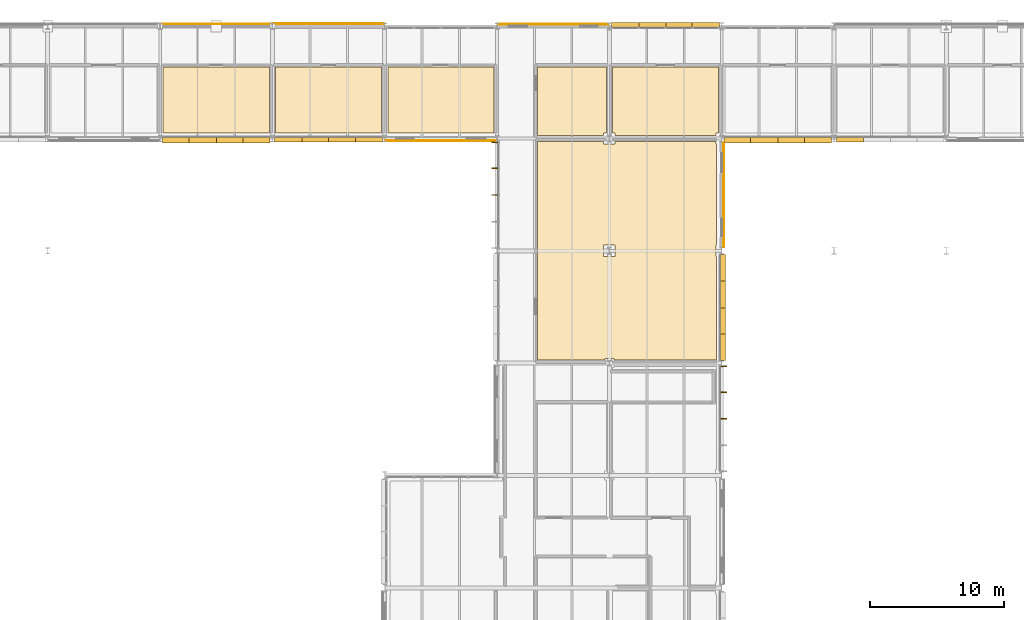
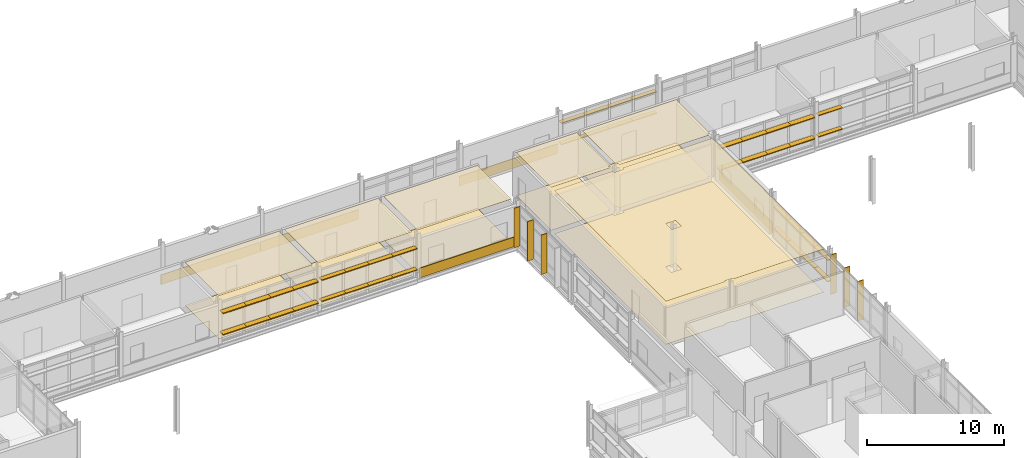
# One storey, part 125 of 131: 48 shading devices, 17 coverings.
"""IFC4 building model written with IfcOpenShell, lengths in metres."""

import ifcopenshell
import ifcopenshell.guid

model = None  # the IFC model being written
_history = None  # IfcOwnerHistory: only IFC2X3 demands one
_inside = {}  # id of a spatial element -> (the spatial element, [elements in it])
_under = {}  # id of a project, library or spatial element -> (it, [spatial elements below it])
_declared = {}  # id of a project -> (the project, [libraries it declares])
_typed = {}  # id of a type object -> (the type object, [elements of that type])
_made_of = {}  # id of a material, layer set ... -> (it, [elements and type objects made of it])


def new_model(schema):
    """Start an empty IFC model of exactly this schema.

    Asked for "IFC4X3", IfcOpenShell would pick the latest addendum, in which some entities
    have other attributes; the version numbers below select the first issue.
    IFC2X3 requires an IfcOwnerHistory on every rooted entity: one is made here for all.
    """
    global model, _history
    if schema == "IFC4X3":
        model = ifcopenshell.file(schema_version=(4, 3, 0, 0))
    else:
        model = ifcopenshell.file(schema=schema)
    _inside.clear()
    _under.clear()
    _declared.clear()
    _typed.clear()
    _made_of.clear()
    _history = None
    if model.schema == "IFC2X3":
        org = make("IfcOrganization", Name="unknown")
        user = make(
            "IfcPersonAndOrganization",
            ThePerson=make("IfcPerson", FamilyName="unknown"),
            TheOrganization=org,
        )
        app = make(
            "IfcApplication",
            ApplicationDeveloper=org,
            Version="unknown",
            ApplicationFullName="unknown",
            ApplicationIdentifier="unknown",
        )
        _history = make(
            "IfcOwnerHistory",
            OwningUser=user,
            OwningApplication=app,
            ChangeAction="ADDED",
            CreationDate=0,
        )
    return model


def make(cls, **values):
    """One entity of the class cls with the attributes given. An attribute that is None is left unset."""
    return model.create_entity(
        cls, **{name: value for name, value in values.items() if value is not None}
    )


def rooted(cls, **values):
    """An entity with a GlobalId (a new one), such as an element, a storey or a relation."""
    return make(cls, GlobalId=ifcopenshell.guid.new(), OwnerHistory=_history, **values)


def si_unit(unit_type, name, prefix=None):
    """IfcSIUnit, for example si_unit("LENGTHUNIT", "METRE", prefix="MILLI")."""
    return make("IfcSIUnit", UnitType=unit_type, Prefix=prefix, Name=name)


def assignment(units):
    """IfcUnitAssignment: the units of a project."""
    return None if units is None else make("IfcUnitAssignment", Units=units)


def point(xyz):
    """IfcCartesianPoint."""
    return None if xyz is None else make("IfcCartesianPoint", Coordinates=xyz)


def direction(xyz):
    """IfcDirection."""
    return None if xyz is None else make("IfcDirection", DirectionRatios=xyz)


def frame(location, z_axis=None, x_axis=None):
    """IfcAxis2Placement3D, a coordinate frame: its origin and axes. An axis left out is left unset."""
    return make(
        "IfcAxis2Placement3D",
        Location=point(location),
        Axis=direction(z_axis),
        RefDirection=direction(x_axis),
    )


def frame_2d(location, x_axis=None):
    """IfcAxis2Placement2D, a coordinate frame in the plane: its origin and x axis."""
    return make(
        "IfcAxis2Placement2D", Location=point(location), RefDirection=direction(x_axis)
    )


def origin():
    """The frame at (0, 0, 0) with its axes left unset."""
    return frame((0.0, 0.0, 0.0))


def origin_2d():
    """The frame at (0, 0) in the plane with its x axis left unset."""
    return frame_2d((0.0, 0.0))


def place(relative_to, where):
    """IfcLocalPlacement: puts the frame where relative to a parent placement (None: the world)."""
    return make(
        "IfcLocalPlacement", PlacementRelTo=relative_to, RelativePlacement=where
    )


def context(
    kind, dimensions, precision=None, world=None, true_north=None, identifier=None
):
    """IfcGeometricRepresentationContext, for example the 3D "Model" context."""
    return make(
        "IfcGeometricRepresentationContext",
        ContextIdentifier=identifier,
        ContextType=kind,
        CoordinateSpaceDimension=dimensions,
        Precision=precision,
        WorldCoordinateSystem=world,
        TrueNorth=true_north,
    )


def subcontext(parent, identifier, kind, view, scale=None):
    """IfcGeometricRepresentationSubContext, for example "Body" below "Model"."""
    return make(
        "IfcGeometricRepresentationSubContext",
        ContextIdentifier=identifier,
        ContextType=kind,
        ParentContext=parent,
        TargetScale=scale,
        TargetView=view,
    )


def project(units=None, contexts=None):
    """IfcProject with its units and contexts."""
    return rooted(
        "IfcProject",
        Name="project",
        RepresentationContexts=contexts,
        UnitsInContext=assignment(units),
    )


def spatial(cls, under=None, at=None, **own):
    """A site, building, storey or space (cls), placed at a placement, below another one or the project."""
    s = rooted(cls, ObjectPlacement=at, **own)
    if under is not None:
        _under.setdefault(under.id(), (under, []))[1].append(s)
    return s


def polyline(points):
    """IfcPolyline through the points."""
    return make("IfcPolyline", Points=[point(p) for p in points])


def profile(cls, at=None, kind="AREA", **sizes):
    """A parametric profile (cls). Its sizes go by their IFC names, for example OverallWidth=200.0."""
    return make(cls, ProfileType=kind, Position=at, **sizes)


def rectangle(**sizes):
    """IfcRectangleProfileDef."""
    return profile("IfcRectangleProfileDef", **sizes)


def outline(outer, holes=None, kind="AREA"):
    """IfcArbitraryClosedProfileDef: a profile drawn as a closed curve; with holes, ...WithVoids."""
    if holes is None:
        return make("IfcArbitraryClosedProfileDef", ProfileType=kind, OuterCurve=outer)
    return make(
        "IfcArbitraryProfileDefWithVoids",
        ProfileType=kind,
        OuterCurve=outer,
        InnerCurves=holes,
    )


def extrude(swept, where, along, depth):
    """IfcExtrudedAreaSolid: the profile swept, set in the frame where, extruded along a direction by depth."""
    return make(
        "IfcExtrudedAreaSolid",
        SweptArea=swept,
        Position=where,
        ExtrudedDirection=direction(along),
        Depth=depth,
    )


def shape(context_of_items, identifier, shape_type, items):
    """IfcShapeRepresentation: the items that make up one representation, for example the "Body"."""
    return make(
        "IfcShapeRepresentation",
        ContextOfItems=context_of_items,
        RepresentationIdentifier=identifier,
        RepresentationType=shape_type,
        Items=items,
    )


def material(Name=None, Category=None):
    """IfcMaterial."""
    return make("IfcMaterial", Name=Name, Category=Category)


def layer(
    of_material, thickness, ventilated=None, Name=None, Category=None, Priority=None
):
    """IfcMaterialLayer: one layer of a wall or slab, of a material (None: an air gap)."""
    return make(
        "IfcMaterialLayer",
        Material=of_material,
        LayerThickness=thickness,
        IsVentilated=ventilated,
        Name=Name,
        Category=Category,
        Priority=Priority,
    )


def layer_set(layers, Name=None):
    """IfcMaterialLayerSet."""
    return make("IfcMaterialLayerSet", MaterialLayers=layers, LayerSetName=Name)


def made_of(thing, what):
    """Note that an element or type object is made of a material, layer set ...; save() writes the relation."""
    if what is not None:
        _made_of.setdefault(what.id(), (what, []))[1].append(thing)
    return thing


def type_object(cls, material=None, **own):
    """A type object (cls), such as IfcWallType, which elements share."""
    return made_of(rooted(cls, **own), material)


def element(
    cls,
    number,
    at=None,
    inside=None,
    cuts=None,
    type_object=None,
    material=None,
    context=None,
    identifier="Body",
    shape_type=None,
    held_by="IfcProductDefinitionShape",
    body=None,
    shapes=None,
    **own,
):
    """One element of the class cls, such as IfcWall. Its Tag is "e" and its number.

    at: its placement. inside: the storey or other place that contains it. cuts: it is an
    opening in that element (IfcRelVoidsElement). A single representation is given by context,
    identifier, shape_type and body (its items); several are given by shapes. held_by: the class
    of the entity that holds the representations. save() writes the other relations.
    """
    e = rooted(cls, Tag="e%d" % number, ObjectPlacement=at, **own)
    if body is not None:
        shapes = [shape(context, identifier, shape_type, body)]
    if shapes is not None:
        e.Representation = make(held_by, Representations=shapes)
    if inside is not None:
        _inside.setdefault(inside.id(), (inside, []))[1].append(e)
    if cuts is not None:
        rooted(
            "IfcRelVoidsElement", RelatingBuildingElement=cuts, RelatedOpeningElement=e
        )
    if type_object is not None:
        _typed.setdefault(type_object.id(), (type_object, []))[1].append(e)
    return made_of(e, material)


def aggregate(whole, parts):
    """IfcRelAggregates: a whole, such as a stair, and the parts it consists of."""
    return rooted("IfcRelAggregates", RelatingObject=whole, RelatedObjects=parts)


def save(model, path):
    """Write the relations noted so far, then the file.

    IfcRelAggregates (storeys below a building ...), IfcRelContainedInSpatialStructure (elements
    in a storey), IfcRelDefinesByType, IfcRelAssociatesMaterial and IfcRelDeclares: one each for
    every whole, place, type object, material and project.
    """
    for whole, parts in _under.values():
        aggregate(whole, parts)
    for where, things in _inside.values():
        rooted(
            "IfcRelContainedInSpatialStructure",
            RelatedElements=things,
            RelatingStructure=where,
        )
    for kind, things in _typed.values():
        rooted("IfcRelDefinesByType", RelatedObjects=things, RelatingType=kind)
    for what, things in _made_of.values():
        rooted("IfcRelAssociatesMaterial", RelatedObjects=things, RelatingMaterial=what)
    for by, libraries in _declared.values():
        rooted("IfcRelDeclares", RelatingContext=by, RelatedDefinitions=libraries)
    model.write(path)


model = new_model("IFC4")

# Units and contexts
model_context = context("Model", 3, precision=1e-05, world=origin(), true_north=direction((0.0, 1.0)))
body_context = subcontext(model_context, "Body", "Model", "MODEL_VIEW")
ifc_project = project(units=[si_unit("LENGTHUNIT", "METRE"), si_unit("AREAUNIT", "SQUARE_METRE"), si_unit("VOLUMEUNIT", "CUBIC_METRE"), si_unit("PLANEANGLEUNIT", "RADIAN"), si_unit("MASSUNIT", "GRAM", prefix="KILO")], contexts=[model_context])

# Site, building, storey
site_placement = place(None, origin())
site = spatial("IfcSite", under=ifc_project, at=site_placement, CompositionType="ELEMENT")
building_placement = place(site_placement, origin())
building = spatial("IfcBuilding", under=site, at=building_placement, Name="Mersafa Astral City Hall", CompositionType="ELEMENT")
storey_placement = place(building_placement, frame((0.0, 0.0, 13.949951171875)))
storey = spatial("IfcBuildingStorey", under=building, at=storey_placement, Name="L03", CompositionType="ELEMENT", Elevation=13.949951171875)

# Coverings
ifc_material_1 = material(Name="Cairo Mokattam buff limestone cladding", Category="masonry")
ifc_layer_1 = layer(ifc_material_1, 0.06005859375, Name="Cairo Mokattam buff limestone cladding")
ifc_layer_set_1 = layer_set([ifc_layer_1], Name="Cairo Mokattam buff limestone cladding — ENV-COV-LIMESTONE-60")
covering_type_1 = type_object("IfcCoveringType", Name="ENV-COV-LIMESTONE-60", PredefinedType="CLADDING", material=ifc_layer_set_1)
covering_1_placement = place(storey_placement, frame((117.761962890625, 113.39990234375, 0.0), z_axis=(0.0, 0.0, 1.0), x_axis=(0.0, 1.0, 0.0)))
element("IfcCovering", 1, at=covering_1_placement, inside=storey, type_object=covering_type_1, Name="L03 Cairo buff limestone rainscreen cladding 222", PredefinedType="CLADDING", context=body_context, shape_type="SweptSolid", body=[
    extrude(rectangle(XDim=7.847900390625, YDim=0.06005859375, at=origin_2d()), origin(), (0.0, 0.0, 1.0), 0.860107421875),
])
for number, where, z_axis, x_axis, name in (
    (2, (105.0, 126.139404296875, 0.0), (0.0, 0.0, 1.0), (-1.0, 0.0, 0.0), "L03 Cairo buff limestone rainscreen cladding 243"),
    (3, (88.199951171875, 126.177001953125, 0.0), (0.0, 0.0, 1.0), (-1.0, 0.0, 0.0), "L03 Cairo buff limestone rainscreen cladding 244"),
    (4, (79.800048828125, 126.16943359375, 0.0), (0.0, 0.0, 1.0), (-1.0, 0.0, 0.0), "L03 Cairo buff limestone rainscreen cladding 245"),
    (5, (96.60009765625, 117.43798828125, 0.0), (0.0, 0.0, 1.0), (1.0, 0.0, 0.0), "L03 Cairo buff limestone rainscreen cladding 264"),
):
    element("IfcCovering", number, at=place(storey_placement, frame(where, z_axis=z_axis, x_axis=x_axis)), inside=storey, type_object=covering_type_1, Name=name, PredefinedType="CLADDING", context=body_context, shape_type="SweptSolid", body=[
        extrude(rectangle(XDim=8.323974609375, YDim=0.06005859375, at=origin_2d()), origin(), (0.0, 0.0, 1.0), 0.860107421875),
    ])

# Shading devices
ifc_material_2 = material(Name="Anodised bronze aluminium solar fin", Category="aluminium")
shading_device_type_1 = type_object("IfcShadingDeviceType", Name="ENV-SHD-FIN-500A", PredefinedType="USERDEFINED", material=ifc_material_2)
for number, where, z_axis, x_axis, name in (
    (6, (117.7451171875, 96.6474609375, -0.01513671875), (0.0, 0.0, 1.0), (0.0, 1.0, 0.0), "L03 Vertical bronze solar fin 996"),
    (7, (117.7451171875, 98.627685546875, -0.01513671875), (0.0, 0.0, 1.0), (0.0, 1.0, 0.0), "L03 Vertical bronze solar fin 997"),
    (8, (117.7451171875, 100.577880859375, -0.01513671875), (0.0, 0.0, 1.0), (0.0, 1.0, 0.0), "L03 Vertical bronze solar fin 998"),
    (9, (100.655029296875, 117.3330078125, -0.01513671875), (0.0, 0.0, 1.0), (0.0, -1.0, 0.0), "L03 Vertical bronze solar fin 1160"),
    (10, (100.655029296875, 115.367919921875, -0.01513671875), (0.0, 0.0, 1.0), (0.0, -1.0, 0.0), "L03 Vertical bronze solar fin 1161"),
    (11, (100.655029296875, 113.37255859375, -0.01513671875), (0.0, 0.0, 1.0), (0.0, -1.0, 0.0), "L03 Vertical bronze solar fin 1162"),
):
    element("IfcShadingDevice", number, at=place(storey_placement, frame(where, z_axis=z_axis, x_axis=x_axis)), inside=storey, type_object=shading_device_type_1, Name=name, ObjectType="FIN", PredefinedType="USERDEFINED", context=body_context, shape_type="SweptSolid", body=[
        extrude(rectangle(XDim=0.06005859375, YDim=0.5, at=origin_2d()), origin(), (0.0, 0.0, 1.0), 3.527099609375),
    ])
ifc_material_3 = material(Name="Kiln-dried cedar timber brise-soleil blade", Category="wood")
shading_device_type_2 = type_object("IfcShadingDeviceType", Name="ENV-SHD-LOUVRE-380", PredefinedType="JALOUSIE", material=ifc_material_3)
shading_device_1_placement = place(storey_placement, frame((117.679931640625, 102.000244140625, 0.81494140625), z_axis=(0.0, 0.0, 1.0), x_axis=(0.0, 1.0, 0.0)))
element("IfcShadingDevice", 12, at=shading_device_1_placement, inside=storey, type_object=shading_device_type_2, Name="L03 Horizontal cedar brise-soleil louvre 999", PredefinedType="JALOUSIE", context=body_context, shape_type="SweptSolid", body=[
    extrude(rectangle(XDim=1.99658203125, YDim=0.3798828125, at=origin_2d()), origin(), (0.0, 0.0, 1.0), 0.070068359375),
])
for number, where, z_axis, x_axis, name in (
    (13, (117.679931640625, 103.9716796875, 0.81494140625), (0.0, 0.0, 1.0), (0.0, 1.0, 0.0), "L03 Horizontal cedar brise-soleil louvre 1000"),
    (14, (117.679931640625, 105.958251953125, 0.81494140625), (0.0, 0.0, 1.0), (0.0, 1.0, 0.0), "L03 Horizontal cedar brise-soleil louvre 1001"),
):
    element("IfcShadingDevice", number, at=place(storey_placement, frame(where, z_axis=z_axis, x_axis=x_axis)), inside=storey, type_object=shading_device_type_2, Name=name, PredefinedType="JALOUSIE", context=body_context, shape_type="SweptSolid", body=[
        extrude(rectangle(XDim=2.026611328125, YDim=0.3798828125, at=origin_2d()), origin(), (0.0, 0.0, 1.0), 0.070068359375),
    ])
for number, where, z_axis, x_axis, name in (
    (15, (117.679931640625, 107.9296875, 0.81494140625), (0.0, 0.0, 1.0), (0.0, 1.0, 0.0), "L03 Horizontal cedar brise-soleil louvre 1002"),
    (16, (117.679931640625, 102.000244140625, 2.71484375), (0.0, 0.0, 1.0), (0.0, 1.0, 0.0), "L03 Horizontal cedar brise-soleil louvre 1003"),
):
    element("IfcShadingDevice", number, at=place(storey_placement, frame(where, z_axis=z_axis, x_axis=x_axis)), inside=storey, type_object=shading_device_type_2, Name=name, PredefinedType="JALOUSIE", context=body_context, shape_type="SweptSolid", body=[
        extrude(rectangle(XDim=1.99658203125, YDim=0.3798828125, at=origin_2d()), origin(), (0.0, 0.0, 1.0), 0.070068359375),
    ])
for number, where, z_axis, x_axis, name in (
    (17, (117.679931640625, 103.9716796875, 2.71484375), (0.0, 0.0, 1.0), (0.0, 1.0, 0.0), "L03 Horizontal cedar brise-soleil louvre 1004"),
    (18, (117.679931640625, 105.958251953125, 2.71484375), (0.0, 0.0, 1.0), (0.0, 1.0, 0.0), "L03 Horizontal cedar brise-soleil louvre 1005"),
):
    element("IfcShadingDevice", number, at=place(storey_placement, frame(where, z_axis=z_axis, x_axis=x_axis)), inside=storey, type_object=shading_device_type_2, Name=name, PredefinedType="JALOUSIE", context=body_context, shape_type="SweptSolid", body=[
        extrude(rectangle(XDim=2.026611328125, YDim=0.3798828125, at=origin_2d()), origin(), (0.0, 0.0, 1.0), 0.070068359375),
    ])
shading_device_2_placement = place(storey_placement, frame((117.679931640625, 107.9296875, 2.71484375), z_axis=(0.0, 0.0, 1.0), x_axis=(0.0, 1.0, 0.0)))
element("IfcShadingDevice", 19, at=shading_device_2_placement, inside=storey, type_object=shading_device_type_2, Name="L03 Horizontal cedar brise-soleil louvre 1006", PredefinedType="JALOUSIE", context=body_context, shape_type="SweptSolid", body=[
    extrude(rectangle(XDim=1.99658203125, YDim=0.3798828125, at=origin_2d()), origin(), (0.0, 0.0, 1.0), 0.070068359375),
])
for number, where, z_axis, x_axis, name in (
    (20, (127.1865234375, 117.52001953125, 0.81494140625), (0.0, 0.0, 1.0), (1.0, 0.0, 0.0), "L03 Horizontal cedar brise-soleil louvre 1015"),
    (21, (127.1865234375, 117.52001953125, 2.71484375), (0.0, 0.0, 1.0), (1.0, 0.0, 0.0), "L03 Horizontal cedar brise-soleil louvre 1019"),
    (22, (116.41357421875, 126.080078125, 0.81494140625), (0.0, 0.0, 1.0), (-1.0, 0.0, 0.0), "L03 Horizontal cedar brise-soleil louvre 1078"),
):
    element("IfcShadingDevice", number, at=place(storey_placement, frame(where, z_axis=z_axis, x_axis=x_axis)), inside=storey, type_object=shading_device_type_2, Name=name, PredefinedType="JALOUSIE", context=body_context, shape_type="SweptSolid", body=[
        extrude(rectangle(XDim=2.029052734375, YDim=0.3798828125, at=origin_2d()), origin(), (0.0, 0.0, 1.0), 0.070068359375),
    ])
for number, where, z_axis, x_axis, name in (
    (23, (114.409423828125, 126.080078125, 0.81494140625), (0.0, 0.0, 1.0), (-1.0, 0.0, 0.0), "L03 Horizontal cedar brise-soleil louvre 1079"),
    (24, (112.390380859375, 126.080078125, 0.81494140625), (0.0, 0.0, 1.0), (-1.0, 0.0, 0.0), "L03 Horizontal cedar brise-soleil louvre 1080"),
):
    element("IfcShadingDevice", number, at=place(storey_placement, frame(where, z_axis=z_axis, x_axis=x_axis)), inside=storey, type_object=shading_device_type_2, Name=name, PredefinedType="JALOUSIE", context=body_context, shape_type="SweptSolid", body=[
        extrude(rectangle(XDim=2.05908203125, YDim=0.3798828125, at=origin_2d()), origin(), (0.0, 0.0, 1.0), 0.070068359375),
    ])
for number, where, z_axis, x_axis, name in (
    (25, (110.386474609375, 126.080078125, 0.81494140625), (0.0, 0.0, 1.0), (-1.0, 0.0, 0.0), "L03 Horizontal cedar brise-soleil louvre 1081"),
    (26, (116.41357421875, 126.080078125, 2.71484375), (0.0, 0.0, 1.0), (-1.0, 0.0, 0.0), "L03 Horizontal cedar brise-soleil louvre 1082"),
):
    element("IfcShadingDevice", number, at=place(storey_placement, frame(where, z_axis=z_axis, x_axis=x_axis)), inside=storey, type_object=shading_device_type_2, Name=name, PredefinedType="JALOUSIE", context=body_context, shape_type="SweptSolid", body=[
        extrude(rectangle(XDim=2.029052734375, YDim=0.3798828125, at=origin_2d()), origin(), (0.0, 0.0, 1.0), 0.070068359375),
    ])
for number, where, z_axis, x_axis, name in (
    (27, (114.409423828125, 126.080078125, 2.71484375), (0.0, 0.0, 1.0), (-1.0, 0.0, 0.0), "L03 Horizontal cedar brise-soleil louvre 1083"),
    (28, (112.390380859375, 126.080078125, 2.71484375), (0.0, 0.0, 1.0), (-1.0, 0.0, 0.0), "L03 Horizontal cedar brise-soleil louvre 1084"),
):
    element("IfcShadingDevice", number, at=place(storey_placement, frame(where, z_axis=z_axis, x_axis=x_axis)), inside=storey, type_object=shading_device_type_2, Name=name, PredefinedType="JALOUSIE", context=body_context, shape_type="SweptSolid", body=[
        extrude(rectangle(XDim=2.05908203125, YDim=0.3798828125, at=origin_2d()), origin(), (0.0, 0.0, 1.0), 0.070068359375),
    ])
for number, where, z_axis, x_axis, name in (
    (29, (110.386474609375, 126.080078125, 2.71484375), (0.0, 0.0, 1.0), (-1.0, 0.0, 0.0), "L03 Horizontal cedar brise-soleil louvre 1085"),
    (30, (85.1865234375, 117.52001953125, 0.81494140625), (0.0, 0.0, 1.0), (1.0, 0.0, 0.0), "L03 Horizontal cedar brise-soleil louvre 1152"),
):
    element("IfcShadingDevice", number, at=place(storey_placement, frame(where, z_axis=z_axis, x_axis=x_axis)), inside=storey, type_object=shading_device_type_2, Name=name, PredefinedType="JALOUSIE", context=body_context, shape_type="SweptSolid", body=[
        extrude(rectangle(XDim=2.029052734375, YDim=0.3798828125, at=origin_2d()), origin(), (0.0, 0.0, 1.0), 0.070068359375),
    ])
for number, where, z_axis, x_axis, name in (
    (31, (87.1904296875, 117.52001953125, 0.81494140625), (0.0, 0.0, 1.0), (1.0, 0.0, 0.0), "L03 Horizontal cedar brise-soleil louvre 1153"),
    (32, (89.20947265625, 117.52001953125, 0.81494140625), (0.0, 0.0, 1.0), (1.0, 0.0, 0.0), "L03 Horizontal cedar brise-soleil louvre 1154"),
):
    element("IfcShadingDevice", number, at=place(storey_placement, frame(where, z_axis=z_axis, x_axis=x_axis)), inside=storey, type_object=shading_device_type_2, Name=name, PredefinedType="JALOUSIE", context=body_context, shape_type="SweptSolid", body=[
        extrude(rectangle(XDim=2.05908203125, YDim=0.3798828125, at=origin_2d()), origin(), (0.0, 0.0, 1.0), 0.070068359375),
    ])
for number, where, z_axis, x_axis, name in (
    (33, (91.21337890625, 117.52001953125, 0.81494140625), (0.0, 0.0, 1.0), (1.0, 0.0, 0.0), "L03 Horizontal cedar brise-soleil louvre 1155"),
    (34, (85.1865234375, 117.52001953125, 2.71484375), (0.0, 0.0, 1.0), (1.0, 0.0, 0.0), "L03 Horizontal cedar brise-soleil louvre 1156"),
):
    element("IfcShadingDevice", number, at=place(storey_placement, frame(where, z_axis=z_axis, x_axis=x_axis)), inside=storey, type_object=shading_device_type_2, Name=name, PredefinedType="JALOUSIE", context=body_context, shape_type="SweptSolid", body=[
        extrude(rectangle(XDim=2.029052734375, YDim=0.3798828125, at=origin_2d()), origin(), (0.0, 0.0, 1.0), 0.070068359375),
    ])
for number, where, z_axis, x_axis, name in (
    (35, (87.1904296875, 117.52001953125, 2.71484375), (0.0, 0.0, 1.0), (1.0, 0.0, 0.0), "L03 Horizontal cedar brise-soleil louvre 1157"),
    (36, (89.20947265625, 117.52001953125, 2.71484375), (0.0, 0.0, 1.0), (1.0, 0.0, 0.0), "L03 Horizontal cedar brise-soleil louvre 1158"),
):
    element("IfcShadingDevice", number, at=place(storey_placement, frame(where, z_axis=z_axis, x_axis=x_axis)), inside=storey, type_object=shading_device_type_2, Name=name, PredefinedType="JALOUSIE", context=body_context, shape_type="SweptSolid", body=[
        extrude(rectangle(XDim=2.05908203125, YDim=0.3798828125, at=origin_2d()), origin(), (0.0, 0.0, 1.0), 0.070068359375),
    ])
shading_device_3_placement = place(storey_placement, frame((91.21337890625, 117.52001953125, 2.71484375), z_axis=(0.0, 0.0, 1.0), x_axis=(1.0, 0.0, 0.0)))
element("IfcShadingDevice", 37, at=shading_device_3_placement, inside=storey, type_object=shading_device_type_2, Name="L03 Horizontal cedar brise-soleil louvre 1159", PredefinedType="JALOUSIE", context=body_context, shape_type="SweptSolid", body=[
    extrude(rectangle(XDim=2.029052734375, YDim=0.3798828125, at=origin_2d()), origin(), (0.0, 0.0, 1.0), 0.070068359375),
])
shading_device_type_3 = type_object("IfcShadingDeviceType", Name="ENV-SHD-LOUVRE-450", PredefinedType="JALOUSIE", material=ifc_material_3)
shading_device_4_placement = place(storey_placement, frame((118.78662109375, 117.485107421875, 0.81005859375), z_axis=(0.0, 0.0, 1.0), x_axis=(1.0, 0.0, 0.0)))
element("IfcShadingDevice", 38, at=shading_device_4_placement, inside=storey, type_object=shading_device_type_3, Name="L03 Horizontal cedar brise-soleil louvre 1007", PredefinedType="JALOUSIE", context=body_context, shape_type="SweptSolid", body=[
    extrude(rectangle(XDim=2.029052734375, YDim=0.449951171875, at=origin_2d()), origin(), (0.0, 0.0, 1.0), 0.080078125),
])
for number, where, z_axis, x_axis, name in (
    (39, (120.79052734375, 117.485107421875, 0.81005859375), (0.0, 0.0, 1.0), (1.0, 0.0, 0.0), "L03 Horizontal cedar brise-soleil louvre 1008"),
    (40, (122.8095703125, 117.485107421875, 0.81005859375), (0.0, 0.0, 1.0), (1.0, 0.0, 0.0), "L03 Horizontal cedar brise-soleil louvre 1009"),
):
    element("IfcShadingDevice", number, at=place(storey_placement, frame(where, z_axis=z_axis, x_axis=x_axis)), inside=storey, type_object=shading_device_type_3, Name=name, PredefinedType="JALOUSIE", context=body_context, shape_type="SweptSolid", body=[
        extrude(rectangle(XDim=2.05908203125, YDim=0.449951171875, at=origin_2d()), origin(), (0.0, 0.0, 1.0), 0.080078125),
    ])
for number, where, z_axis, x_axis, name in (
    (41, (124.8134765625, 117.485107421875, 0.81005859375), (0.0, 0.0, 1.0), (1.0, 0.0, 0.0), "L03 Horizontal cedar brise-soleil louvre 1010"),
    (42, (118.78662109375, 117.485107421875, 2.7099609375), (0.0, 0.0, 1.0), (1.0, 0.0, 0.0), "L03 Horizontal cedar brise-soleil louvre 1011"),
):
    element("IfcShadingDevice", number, at=place(storey_placement, frame(where, z_axis=z_axis, x_axis=x_axis)), inside=storey, type_object=shading_device_type_3, Name=name, PredefinedType="JALOUSIE", context=body_context, shape_type="SweptSolid", body=[
        extrude(rectangle(XDim=2.029052734375, YDim=0.449951171875, at=origin_2d()), origin(), (0.0, 0.0, 1.0), 0.080078125),
    ])
for number, where, z_axis, x_axis, name in (
    (43, (120.79052734375, 117.485107421875, 2.7099609375), (0.0, 0.0, 1.0), (1.0, 0.0, 0.0), "L03 Horizontal cedar brise-soleil louvre 1012"),
    (44, (122.8095703125, 117.485107421875, 2.7099609375), (0.0, 0.0, 1.0), (1.0, 0.0, 0.0), "L03 Horizontal cedar brise-soleil louvre 1013"),
):
    element("IfcShadingDevice", number, at=place(storey_placement, frame(where, z_axis=z_axis, x_axis=x_axis)), inside=storey, type_object=shading_device_type_3, Name=name, PredefinedType="JALOUSIE", context=body_context, shape_type="SweptSolid", body=[
        extrude(rectangle(XDim=2.05908203125, YDim=0.449951171875, at=origin_2d()), origin(), (0.0, 0.0, 1.0), 0.080078125),
    ])
for number, where, z_axis, x_axis, name in (
    (45, (124.8134765625, 117.485107421875, 2.7099609375), (0.0, 0.0, 1.0), (1.0, 0.0, 0.0), "L03 Horizontal cedar brise-soleil louvre 1014"),
    (46, (76.78662109375, 117.485107421875, 0.81005859375), (0.0, 0.0, 1.0), (1.0, 0.0, 0.0), "L03 Horizontal cedar brise-soleil louvre 1144"),
):
    element("IfcShadingDevice", number, at=place(storey_placement, frame(where, z_axis=z_axis, x_axis=x_axis)), inside=storey, type_object=shading_device_type_3, Name=name, PredefinedType="JALOUSIE", context=body_context, shape_type="SweptSolid", body=[
        extrude(rectangle(XDim=2.029052734375, YDim=0.449951171875, at=origin_2d()), origin(), (0.0, 0.0, 1.0), 0.080078125),
    ])
for number, where, z_axis, x_axis, name in (
    (47, (78.79052734375, 117.485107421875, 0.81005859375), (0.0, 0.0, 1.0), (1.0, 0.0, 0.0), "L03 Horizontal cedar brise-soleil louvre 1145"),
    (48, (80.8095703125, 117.485107421875, 0.81005859375), (0.0, 0.0, 1.0), (1.0, 0.0, 0.0), "L03 Horizontal cedar brise-soleil louvre 1146"),
):
    element("IfcShadingDevice", number, at=place(storey_placement, frame(where, z_axis=z_axis, x_axis=x_axis)), inside=storey, type_object=shading_device_type_3, Name=name, PredefinedType="JALOUSIE", context=body_context, shape_type="SweptSolid", body=[
        extrude(rectangle(XDim=2.05908203125, YDim=0.449951171875, at=origin_2d()), origin(), (0.0, 0.0, 1.0), 0.080078125),
    ])
for number, where, z_axis, x_axis, name in (
    (49, (82.8134765625, 117.485107421875, 0.81005859375), (0.0, 0.0, 1.0), (1.0, 0.0, 0.0), "L03 Horizontal cedar brise-soleil louvre 1147"),
    (50, (76.78662109375, 117.485107421875, 2.7099609375), (0.0, 0.0, 1.0), (1.0, 0.0, 0.0), "L03 Horizontal cedar brise-soleil louvre 1148"),
):
    element("IfcShadingDevice", number, at=place(storey_placement, frame(where, z_axis=z_axis, x_axis=x_axis)), inside=storey, type_object=shading_device_type_3, Name=name, PredefinedType="JALOUSIE", context=body_context, shape_type="SweptSolid", body=[
        extrude(rectangle(XDim=2.029052734375, YDim=0.449951171875, at=origin_2d()), origin(), (0.0, 0.0, 1.0), 0.080078125),
    ])
for number, where, z_axis, x_axis, name in (
    (51, (78.79052734375, 117.485107421875, 2.7099609375), (0.0, 0.0, 1.0), (1.0, 0.0, 0.0), "L03 Horizontal cedar brise-soleil louvre 1149"),
    (52, (80.8095703125, 117.485107421875, 2.7099609375), (0.0, 0.0, 1.0), (1.0, 0.0, 0.0), "L03 Horizontal cedar brise-soleil louvre 1150"),
):
    element("IfcShadingDevice", number, at=place(storey_placement, frame(where, z_axis=z_axis, x_axis=x_axis)), inside=storey, type_object=shading_device_type_3, Name=name, PredefinedType="JALOUSIE", context=body_context, shape_type="SweptSolid", body=[
        extrude(rectangle(XDim=2.05908203125, YDim=0.449951171875, at=origin_2d()), origin(), (0.0, 0.0, 1.0), 0.080078125),
    ])
shading_device_5_placement = place(storey_placement, frame((82.8134765625, 117.485107421875, 2.7099609375), z_axis=(0.0, 0.0, 1.0), x_axis=(1.0, 0.0, 0.0)))
element("IfcShadingDevice", 53, at=shading_device_5_placement, inside=storey, type_object=shading_device_type_3, Name="L03 Horizontal cedar brise-soleil louvre 1151", PredefinedType="JALOUSIE", context=body_context, shape_type="SweptSolid", body=[
    extrude(rectangle(XDim=2.029052734375, YDim=0.449951171875, at=origin_2d()), origin(), (0.0, 0.0, 1.0), 0.080078125),
])

# Coverings
ifc_material_4 = material(Name="Perforated acoustic gypsum board ceiling", Category="gypsum")
ifc_layer_2 = layer(ifc_material_4, 0.02490234375, Name="Perforated acoustic gypsum board ceiling")
ifc_layer_set_2 = layer_set([ifc_layer_2], Name="Perforated acoustic gypsum board ceiling — INT-COV-CEIL-25")
covering_type_2 = type_object("IfcCoveringType", Name="INT-COV-CEIL-25", PredefinedType="CEILING", material=ifc_layer_set_2)
covering_2_placement = place(storey_placement, frame((0.0, 0.0, 3.845947265625)))
element("IfcCovering", 54, at=covering_2_placement, inside=storey, type_object=covering_type_2, Name="L03 Civil Engineering Directorate Office L03-03 acoustic ceiling", PredefinedType="CEILING", context=body_context, shape_type="SweptSolid", body=[
    extrude(outline(polyline([(103.840087890625, 101.030029296875), (103.840087890625, 117.3701171875), (108.780029296875, 117.3701171875), (108.780029296875, 117.179931640625), (109.6201171875, 117.179931640625), (109.6201171875, 117.3701171875), (117.179931640625, 117.3701171875), (117.179931640625, 117.179931640625), (117.199951171875, 117.179931640625), (117.199951171875, 109.6201171875), (117.179931640625, 109.6201171875), (117.179931640625, 108.780029296875), (117.199951171875, 108.780029296875), (117.199951171875, 101.030029296875), (109.5400390625, 101.030029296875), (109.5400390625, 101.139892578125), (108.860107421875, 101.139892578125), (108.860107421875, 101.030029296875), (103.840087890625, 101.030029296875)]), holes=[polyline([(109.6201171875, 108.780029296875), (109.6201171875, 109.6201171875), (108.780029296875, 109.6201171875), (108.780029296875, 108.780029296875), (109.6201171875, 108.780029296875)])]), origin(), (0.0, 0.0, 1.0), 0.025146484375),
])
covering_3_placement = place(storey_placement, frame((0.0, 0.0, 3.845947265625)))
element("IfcCovering", 55, at=covering_3_placement, inside=storey, type_object=covering_type_2, Name="L03 Municipal Finance & Treasury Office L03-13 acoustic ceiling", PredefinedType="CEILING", context=body_context, shape_type="SweptSolid", body=[
    extrude(outline(polyline([(109.6201171875, 118.02001953125), (109.429931640625, 118.02001953125), (109.429931640625, 122.9599609375), (117.3701171875, 122.9599609375), (117.3701171875, 118.02001953125), (117.179931640625, 118.02001953125), (117.179931640625, 117.830078125), (109.6201171875, 117.830078125), (109.6201171875, 118.02001953125)])), origin(), (0.0, 0.0, 1.0), 0.025146484375),
])
covering_4_placement = place(storey_placement, frame((0.0, 0.0, 3.845947265625)))
element("IfcCovering", 56, at=covering_4_placement, inside=storey, type_object=covering_type_2, Name="L03 Building Permits Technical Office L03-17 acoustic ceiling", PredefinedType="CEILING", context=body_context, shape_type="SweptSolid", body=[
    extrude(outline(polyline([(83.77001953125, 122.9599609375), (83.77001953125, 118.0), (75.830078125, 118.0), (75.830078125, 122.9599609375), (83.77001953125, 122.9599609375)])), origin(), (0.0, 0.0, 1.0), 0.025146484375),
])
covering_5_placement = place(storey_placement, frame((0.0, 0.0, 3.845947265625)))
element("IfcCovering", 57, at=covering_5_placement, inside=storey, type_object=covering_type_2, Name="L03 Public Restroom L03-18 acoustic ceiling", PredefinedType="CEILING", context=body_context, shape_type="SweptSolid", body=[
    extrude(outline(polyline([(92.169921875, 122.9599609375), (92.169921875, 118.0), (84.22998046875, 118.0), (84.22998046875, 122.9599609375), (92.169921875, 122.9599609375)])), origin(), (0.0, 0.0, 1.0), 0.025146484375),
])
covering_6_placement = place(storey_placement, frame((0.0, 0.0, 3.845947265625)))
element("IfcCovering", 58, at=covering_6_placement, inside=storey, type_object=covering_type_2, Name="L03 Municipal Administration Office L03-19 acoustic ceiling", PredefinedType="CEILING", context=body_context, shape_type="SweptSolid", body=[
    extrude(outline(polyline([(100.570068359375, 122.9599609375), (100.570068359375, 118.0), (92.6298828125, 118.0), (92.6298828125, 122.9599609375), (100.570068359375, 122.9599609375)])), origin(), (0.0, 0.0, 1.0), 0.025146484375),
])
covering_7_placement = place(storey_placement, frame((0.0, 0.0, 3.845947265625)))
element("IfcCovering", 59, at=covering_7_placement, inside=storey, type_object=covering_type_2, Name="L03 Municipal Administration Office L03-28 acoustic ceiling", PredefinedType="CEILING", context=body_context, shape_type="SweptSolid", body=[
    extrude(outline(polyline([(108.969970703125, 118.02001953125), (108.780029296875, 118.02001953125), (108.780029296875, 117.830078125), (103.840087890625, 117.830078125), (103.840087890625, 122.9599609375), (108.969970703125, 122.9599609375), (108.969970703125, 118.02001953125)])), origin(), (0.0, 0.0, 1.0), 0.025146484375),
])
ifc_material_5 = material(Name="Heavy-duty woven acoustic carpet tile", Category="finish")
ifc_layer_3 = layer(ifc_material_5, 0.014892578125, Name="Heavy-duty woven acoustic carpet tile")
ifc_layer_set_3 = layer_set([ifc_layer_3], Name="Heavy-duty woven acoustic carpet tile — INT-COV-FLR-15")
covering_type_3 = type_object("IfcCoveringType", Name="INT-COV-FLR-15", PredefinedType="FLOORING", material=ifc_layer_set_3)
covering_8_placement = place(storey_placement, frame((0.0, 0.0, -0.00146484375)))
element("IfcCovering", 60, at=covering_8_placement, inside=storey, type_object=covering_type_3, Name="L03 Civil Engineering Directorate Office L03-03 architectural flooring", PredefinedType="FLOORING", context=body_context, shape_type="SweptSolid", body=[
    extrude(outline(polyline([(103.840087890625, 101.030029296875), (103.840087890625, 117.3701171875), (108.780029296875, 117.3701171875), (108.780029296875, 117.179931640625), (109.6201171875, 117.179931640625), (109.6201171875, 117.3701171875), (117.179931640625, 117.3701171875), (117.179931640625, 117.179931640625), (117.199951171875, 117.179931640625), (117.199951171875, 109.6201171875), (117.179931640625, 109.6201171875), (117.179931640625, 108.780029296875), (117.199951171875, 108.780029296875), (117.199951171875, 101.030029296875), (109.5400390625, 101.030029296875), (109.5400390625, 101.139892578125), (108.860107421875, 101.139892578125), (108.860107421875, 101.030029296875), (103.840087890625, 101.030029296875)]), holes=[polyline([(109.6201171875, 108.780029296875), (109.6201171875, 109.6201171875), (108.780029296875, 109.6201171875), (108.780029296875, 108.780029296875), (109.6201171875, 108.780029296875)])]), origin(), (0.0, 0.0, 1.0), 0.014892578125),
])
covering_9_placement = place(storey_placement, frame((0.0, 0.0, -0.00146484375)))
element("IfcCovering", 61, at=covering_9_placement, inside=storey, type_object=covering_type_3, Name="L03 Municipal Finance & Treasury Office L03-13 architectural flooring", PredefinedType="FLOORING", context=body_context, shape_type="SweptSolid", body=[
    extrude(outline(polyline([(109.6201171875, 118.02001953125), (109.429931640625, 118.02001953125), (109.429931640625, 122.9599609375), (117.3701171875, 122.9599609375), (117.3701171875, 118.02001953125), (117.179931640625, 118.02001953125), (117.179931640625, 117.830078125), (109.6201171875, 117.830078125), (109.6201171875, 118.02001953125)])), origin(), (0.0, 0.0, 1.0), 0.014892578125),
])
covering_10_placement = place(storey_placement, frame((0.0, 0.0, -0.00146484375)))
element("IfcCovering", 62, at=covering_10_placement, inside=storey, type_object=covering_type_3, Name="L03 Building Permits Technical Office L03-17 architectural flooring", PredefinedType="FLOORING", context=body_context, shape_type="SweptSolid", body=[
    extrude(outline(polyline([(83.77001953125, 122.9599609375), (83.77001953125, 118.0), (75.830078125, 118.0), (75.830078125, 122.9599609375), (83.77001953125, 122.9599609375)])), origin(), (0.0, 0.0, 1.0), 0.014892578125),
])
covering_11_placement = place(storey_placement, frame((0.0, 0.0, -0.00146484375)))
element("IfcCovering", 63, at=covering_11_placement, inside=storey, type_object=covering_type_3, Name="L03 Public Restroom L03-18 architectural flooring", PredefinedType="FLOORING", context=body_context, shape_type="SweptSolid", body=[
    extrude(outline(polyline([(92.169921875, 122.9599609375), (92.169921875, 118.0), (84.22998046875, 118.0), (84.22998046875, 122.9599609375), (92.169921875, 122.9599609375)])), origin(), (0.0, 0.0, 1.0), 0.014892578125),
])
covering_12_placement = place(storey_placement, frame((0.0, 0.0, -0.00146484375)))
element("IfcCovering", 64, at=covering_12_placement, inside=storey, type_object=covering_type_3, Name="L03 Municipal Administration Office L03-19 architectural flooring", PredefinedType="FLOORING", context=body_context, shape_type="SweptSolid", body=[
    extrude(outline(polyline([(100.570068359375, 122.9599609375), (100.570068359375, 118.0), (92.6298828125, 118.0), (92.6298828125, 122.9599609375), (100.570068359375, 122.9599609375)])), origin(), (0.0, 0.0, 1.0), 0.014892578125),
])
covering_13_placement = place(storey_placement, frame((0.0, 0.0, -0.00146484375)))
element("IfcCovering", 65, at=covering_13_placement, inside=storey, type_object=covering_type_3, Name="L03 Municipal Administration Office L03-28 architectural flooring", PredefinedType="FLOORING", context=body_context, shape_type="SweptSolid", body=[
    extrude(outline(polyline([(108.969970703125, 118.02001953125), (108.780029296875, 118.02001953125), (108.780029296875, 117.830078125), (103.840087890625, 117.830078125), (103.840087890625, 122.9599609375), (108.969970703125, 122.9599609375), (108.969970703125, 118.02001953125)])), origin(), (0.0, 0.0, 1.0), 0.014892578125),
])

save(model, "model.ifc")
